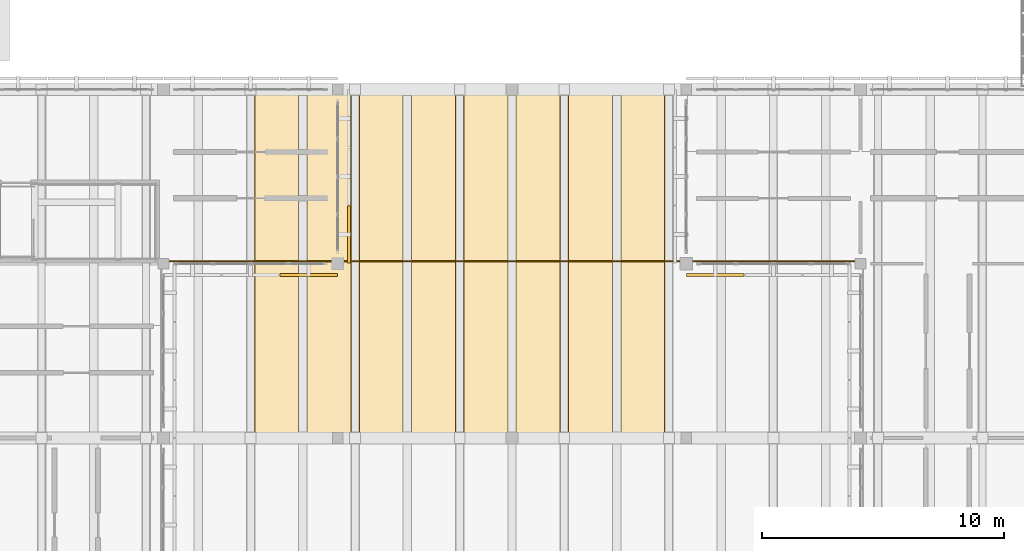
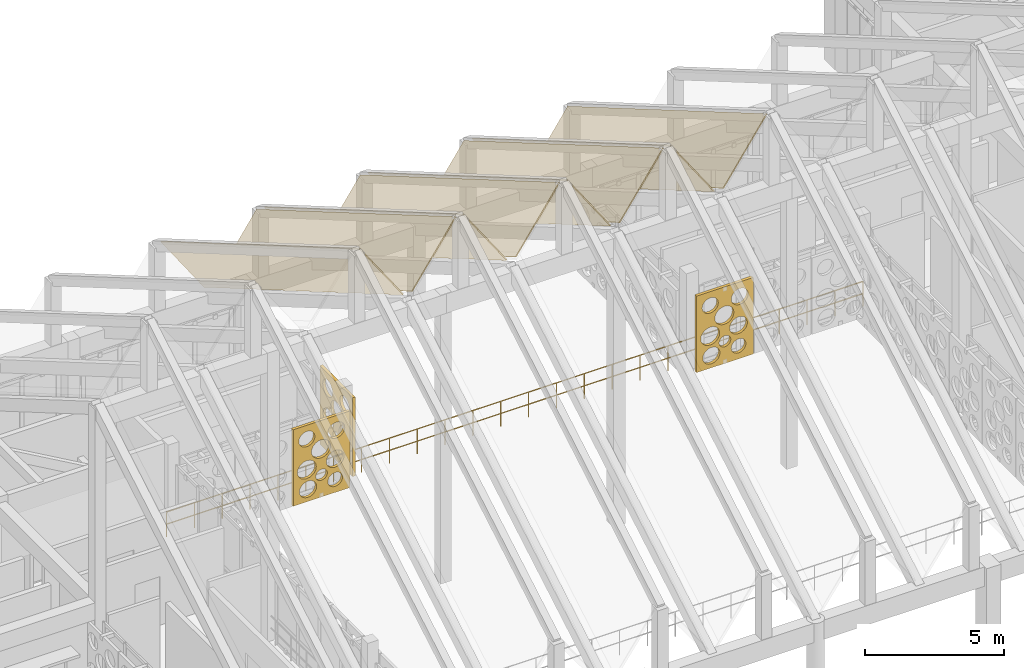
# One storey, part 158 of 171: 11 coverings, 1 railing.
"""IFC4 building model written with IfcOpenShell, lengths in metres."""

from ifc_helpers import new_model, si_unit, direction, frame, origin, origin_2d, place, context, subcontext, project, spatial, polyline, circle, outline, extrude, material, layer, layer_set, type_object, element, save


model = new_model("IFC4")

# Units and contexts
model_context = context("Model", 3, precision=1e-05, world=origin(), true_north=direction((0.0, 1.0)))
body_context = subcontext(model_context, "Body", "Model", "MODEL_VIEW")
ifc_project = project(units=[si_unit("LENGTHUNIT", "METRE"), si_unit("AREAUNIT", "SQUARE_METRE"), si_unit("VOLUMEUNIT", "CUBIC_METRE"), si_unit("PLANEANGLEUNIT", "RADIAN"), si_unit("MASSUNIT", "GRAM", prefix="KILO")], contexts=[model_context])

# Site, building, storey
site_placement = place(None, origin())
site = spatial("IfcSite", under=ifc_project, at=site_placement, CompositionType="ELEMENT")
building_placement = place(site_placement, origin())
building = spatial("IfcBuilding", under=site, at=building_placement, Name="Aldebral Square Health Centre", CompositionType="ELEMENT")
storey_placement = place(building_placement, frame((0.0, 0.0, 4.5)))
storey = spatial("IfcBuildingStorey", under=building, at=storey_placement, Name="L01", CompositionType="ELEMENT", Elevation=4.5)

# Coverings
ifc_material_1 = material(Name="Insulated mineral standing-seam roofing")
ifc_layer_1 = layer(ifc_material_1, 0.0400390625, Name="Insulated mineral standing-seam roofing")
ifc_layer_set_1 = layer_set([ifc_layer_1], Name="Insulated mineral standing-seam roofing")
covering_type_1 = type_object("IfcCoveringType", Name="COV-RF-40", PredefinedType="ROOFING", material=ifc_layer_set_1)
covering_1_placement = place(storey_placement, frame((77.5849609375, 100.800048828125, 4.735595703125), z_axis=(0.783125616046, 0.3133373167, 0.537153605085), x_axis=(-0.565638067086, 0.0, 0.82465361035)))
element("IfcCovering", 1, at=covering_1_placement, inside=storey, type_object=covering_type_1, Name="Waiting Hall folded-plate roof bay 3 NE standing-seam roofing", PredefinedType="ROOFING", context=body_context, shape_type="SweptSolid", body=[
    extrude(outline(polyline([(0.0, 0.0), (3.2000296639766255, 5.551115123125783e-17), (10.09824906129536, 15.100521563128028), (6.898219397318735, 15.100521563128028), (0.0, 0.0)])), origin(), (0.0, 0.0, -1.0), 0.0400390625),
])
covering_2_placement = place(storey_placement, frame((79.7451171875, 100.800048828125, 7.37451171875), z_axis=(-0.783125616046, 0.3133373167, 0.537153605085), x_axis=(-0.565638067086, 0.0, -0.82465361035)))
element("IfcCovering", 2, at=covering_2_placement, inside=storey, type_object=covering_type_1, Name="Waiting Hall folded-plate roof bay 4 NW standing-seam roofing", PredefinedType="ROOFING", context=body_context, shape_type="SweptSolid", body=[
    extrude(outline(polyline([(0.0, 0.0), (3.2000296639766255, -5.551115123125783e-17), (-3.6981897333421103, 15.100521563128028), (-6.898219397318735, 15.100521563128028), (0.0, 0.0)])), origin(), (0.0, 0.0, -1.0), 0.0400390625),
])
covering_3_placement = place(storey_placement, frame((81.905029296875, 100.800048828125, 4.735595703125), z_axis=(0.783125616046, 0.3133373167, 0.537153605085), x_axis=(-0.565638067086, 0.0, 0.82465361035)))
element("IfcCovering", 3, at=covering_3_placement, inside=storey, type_object=covering_type_1, Name="Waiting Hall folded-plate roof bay 4 NE standing-seam roofing", PredefinedType="ROOFING", context=body_context, shape_type="SweptSolid", body=[
    extrude(outline(polyline([(0.0, 0.0), (3.2000296639766255, 5.551115123125783e-17), (10.09824906129536, 15.100521563128028), (6.898219397318735, 15.100521563128028), (0.0, 0.0)])), origin(), (0.0, 0.0, -1.0), 0.0400390625),
])
covering_4_placement = place(storey_placement, frame((84.06494140625, 100.800048828125, 7.37451171875), z_axis=(-0.783125616046, 0.3133373167, 0.537153605085), x_axis=(-0.565638067086, 0.0, -0.82465361035)))
element("IfcCovering", 4, at=covering_4_placement, inside=storey, type_object=covering_type_1, Name="Waiting Hall folded-plate roof bay 5 NW standing-seam roofing", PredefinedType="ROOFING", context=body_context, shape_type="SweptSolid", body=[
    extrude(outline(polyline([(0.0, 0.0), (3.2000296639766255, -5.551115123125783e-17), (-3.6981897333421103, 15.100521563128028), (-6.898219397318735, 15.100521563128028), (0.0, 0.0)])), origin(), (0.0, 0.0, -1.0), 0.0400390625),
])
covering_5_placement = place(storey_placement, frame((86.22509765625, 100.800048828125, 4.735595703125), z_axis=(0.783125616046, 0.3133373167, 0.537153605085), x_axis=(-0.565638067086, 0.0, 0.82465361035)))
element("IfcCovering", 5, at=covering_5_placement, inside=storey, type_object=covering_type_1, Name="Waiting Hall folded-plate roof bay 5 NE standing-seam roofing", PredefinedType="ROOFING", context=body_context, shape_type="SweptSolid", body=[
    extrude(outline(polyline([(0.0, 0.0), (3.2000296639766255, 5.551115123125783e-17), (10.09824906129536, 15.100521563128028), (6.898219397318735, 15.100521563128028), (0.0, 0.0)])), origin(), (0.0, 0.0, -1.0), 0.0400390625),
])
covering_6_placement = place(storey_placement, frame((88.385009765625, 100.800048828125, 7.37451171875), z_axis=(-0.783125616046, 0.3133373167, 0.537153605085), x_axis=(-0.565638067086, 0.0, -0.82465361035)))
element("IfcCovering", 6, at=covering_6_placement, inside=storey, type_object=covering_type_1, Name="Waiting Hall folded-plate roof bay 6 NW standing-seam roofing", PredefinedType="ROOFING", context=body_context, shape_type="SweptSolid", body=[
    extrude(outline(polyline([(0.0, 0.0), (3.2000296639766255, -5.551115123125783e-17), (-3.6981897333421103, 15.100521563128028), (-6.898219397318735, 15.100521563128028), (0.0, 0.0)])), origin(), (0.0, 0.0, -1.0), 0.0400390625),
])
covering_7_placement = place(storey_placement, frame((90.544921875, 100.800048828125, 4.735595703125), z_axis=(0.783166464322, 0.313311395424, 0.537109168288), x_axis=(-0.565586180238, 0.0, 0.824689197652)))
element("IfcCovering", 7, at=covering_7_placement, inside=storey, type_object=covering_type_1, Name="Waiting Hall folded-plate roof bay 6 NE standing-seam roofing", PredefinedType="ROOFING", context=body_context, shape_type="SweptSolid", body=[
    extrude(outline(polyline([(0.0, 0.0), (3.19989157507911, 0.0), (10.098408659831637, 15.100385570024905), (6.898517084752526, 15.100385570024907), (0.0, 0.0)])), origin(), (0.0, 0.0, -1.0), 0.0400390625),
])
covering_8_placement = place(storey_placement, frame((92.705078125, 100.800048828125, 7.37451171875), z_axis=(-0.783125616046, 0.3133373167, 0.537153605085), x_axis=(-0.565638067086, 0.0, -0.82465361035)))
element("IfcCovering", 8, at=covering_8_placement, inside=storey, type_object=covering_type_1, Name="Waiting Hall folded-plate roof bay 7 NW standing-seam roofing", PredefinedType="ROOFING", context=body_context, shape_type="SweptSolid", body=[
    extrude(outline(polyline([(0.0, 0.0), (3.2000296639766255, -5.551115123125783e-17), (-3.6981897333421103, 15.100521563128028), (-6.898219397318735, 15.100521563128028), (0.0, 0.0)])), origin(), (0.0, 0.0, -1.0), 0.0400390625),
])
ifc_material_2 = material(Name="Cream cantera perforated stone screen", Category="masonry")
ifc_layer_2 = layer(ifc_material_2, 0.1201171875, Name="Cream cantera perforated stone screen", Category="masonry")
ifc_layer_set_2 = layer_set([ifc_layer_2], Name="Cream cantera perforated stone screen")
covering_type_2 = type_object("IfcCoveringType", Name="COV-SCR-120", PredefinedType="CLADDING", material=ifc_layer_set_2)
covering_9_placement = place(storey_placement, frame((76.820068359375, 93.139892578125, 0.0), z_axis=(0.0, 0.0, 1.0), x_axis=(1.0, 0.0, 0.0)))
element("IfcCovering", 9, at=covering_9_placement, inside=storey, type_object=covering_type_2, Name="L01 V1 circular-aperture stone screen L01-V1-10-13-S.3", PredefinedType="CLADDING", context=body_context, shape_type="SweptSolid", body=[
    extrude(outline(polyline([(0.0, 0.0), (2.35986328125, 0.0), (2.35986328125, 3.3701171875), (0.0, 3.3701171875), (0.0, 0.0)]), holes=[polyline([(0.973388671875, 0.539306640625), (0.955810546875, 0.427978515625), (0.90478515625, 0.32763671875), (0.8251953125, 0.248046875), (0.724853515625, 0.197021484375), (0.613525390625, 0.17919921875), (0.50244140625, 0.197021484375), (0.402099609375, 0.248046875), (0.322509765625, 0.32763671875), (0.271240234375, 0.427978515625), (0.253662109375, 0.539306640625), (0.271240234375, 0.650390625), (0.322509765625, 0.750732421875), (0.402099609375, 0.830322265625), (0.50244140625, 0.881591796875), (0.613525390625, 0.899169921875), (0.724853515625, 0.881591796875), (0.8251953125, 0.830322265625), (0.90478515625, 0.750732421875), (0.955810546875, 0.650390625), (0.973388671875, 0.539306640625)]), polyline([(2.0546875, 0.572998046875), (2.039794921875, 0.4775390625), (1.995849609375, 0.3916015625), (1.927734375, 0.323486328125), (1.841796875, 0.279541015625), (1.746337890625, 0.264404296875), (1.651123046875, 0.279541015625), (1.565185546875, 0.323486328125), (1.496826171875, 0.3916015625), (1.453125, 0.4775390625), (1.43798828125, 0.572998046875), (1.453125, 0.668212890625), (1.496826171875, 0.754150390625), (1.565185546875, 0.822509765625), (1.651123046875, 0.8662109375), (1.746337890625, 0.88134765625), (1.841796875, 0.8662109375), (1.927734375, 0.822509765625), (1.995849609375, 0.754150390625), (2.039794921875, 0.668212890625), (2.0546875, 0.572998046875)]), polyline([(0.9619140625, 1.415283203125), (0.942626953125, 1.293212890625), (0.886474609375, 1.182861328125), (0.798828125, 1.095458984375), (0.688720703125, 1.039306640625), (0.56640625, 1.02001953125), (0.444091796875, 1.039306640625), (0.333984375, 1.095458984375), (0.246337890625, 1.182861328125), (0.190185546875, 1.293212890625), (0.1708984375, 1.415283203125), (0.190185546875, 1.53759765625), (0.246337890625, 1.64794921875), (0.333984375, 1.7353515625), (0.444091796875, 1.79150390625), (0.56640625, 1.810791015625), (0.688720703125, 1.79150390625), (0.798828125, 1.7353515625), (0.886474609375, 1.64794921875), (0.942626953125, 1.53759765625), (0.9619140625, 1.415283203125)]), polyline([(2.117919921875, 1.48291015625), (2.099853515625, 1.367919921875), (2.047119140625, 1.264404296875), (1.96484375, 1.18212890625), (1.861328125, 1.12939453125), (1.746337890625, 1.111083984375), (1.631591796875, 1.12939453125), (1.528076171875, 1.18212890625), (1.44580078125, 1.264404296875), (1.39306640625, 1.367919921875), (1.374755859375, 1.48291015625), (1.39306640625, 1.59765625), (1.44580078125, 1.701171875), (1.528076171875, 1.783447265625), (1.631591796875, 1.836181640625), (1.746337890625, 1.8544921875), (1.861328125, 1.836181640625), (1.96484375, 1.783447265625), (2.047119140625, 1.701171875), (2.099853515625, 1.59765625), (2.117919921875, 1.48291015625)]), polyline([(1.4248046875, 0.977294921875), (1.412841796875, 0.901611328125), (1.3779296875, 0.83349609375), (1.32373046875, 0.779296875), (1.255615234375, 0.74462890625), (1.179931640625, 0.732666015625), (1.1044921875, 0.74462890625), (1.0361328125, 0.779296875), (0.98193359375, 0.83349609375), (0.947265625, 0.901611328125), (0.935302734375, 0.977294921875), (0.947265625, 1.052978515625), (0.98193359375, 1.12109375), (1.0361328125, 1.17529296875), (1.1044921875, 1.2099609375), (1.179931640625, 1.221923828125), (1.255615234375, 1.2099609375), (1.32373046875, 1.17529296875), (1.3779296875, 1.12109375), (1.412841796875, 1.052978515625), (1.4248046875, 0.977294921875)]), polyline([(1.555419921875, 2.123046875), (1.535888671875, 1.999755859375), (1.479248046875, 1.888427734375), (1.390869140625, 1.80029296875), (1.27978515625, 1.74365234375), (1.156494140625, 1.72412109375), (1.032958984375, 1.74365234375), (0.921875, 1.80029296875), (0.83349609375, 1.888427734375), (0.77685546875, 1.999755859375), (0.75732421875, 2.123046875), (0.77685546875, 2.246337890625), (0.83349609375, 2.357666015625), (0.921875, 2.446044921875), (1.032958984375, 2.502685546875), (1.156494140625, 2.522216796875), (1.27978515625, 2.502685546875), (1.390869140625, 2.446044921875), (1.479248046875, 2.357666015625), (1.535888671875, 2.246337890625), (1.555419921875, 2.123046875)]), polyline([(0.904296875, 2.763427734375), (0.8876953125, 2.658935546875), (0.839599609375, 2.56494140625), (0.764892578125, 2.490234375), (0.6708984375, 2.442138671875), (0.56640625, 2.425537109375), (0.4619140625, 2.442138671875), (0.367919921875, 2.490234375), (0.293212890625, 2.56494140625), (0.2451171875, 2.658935546875), (0.228515625, 2.763427734375), (0.2451171875, 2.86767578125), (0.293212890625, 2.9619140625), (0.367919921875, 3.03662109375), (0.4619140625, 3.084716796875), (0.56640625, 3.101318359375), (0.6708984375, 3.084716796875), (0.764892578125, 3.03662109375), (0.839599609375, 2.9619140625), (0.8876953125, 2.86767578125), (0.904296875, 2.763427734375)]), polyline([(2.14599609375, 2.729736328125), (2.12890625, 2.620849609375), (2.078857421875, 2.5224609375), (2.000732421875, 2.444580078125), (1.902587890625, 2.39453125), (1.793701171875, 2.377197265625), (1.6845703125, 2.39453125), (1.58642578125, 2.444580078125), (1.50830078125, 2.5224609375), (1.458251953125, 2.620849609375), (1.441162109375, 2.729736328125), (1.458251953125, 2.838623046875), (1.50830078125, 2.93701171875), (1.58642578125, 3.014892578125), (1.6845703125, 3.06494140625), (1.793701171875, 3.082275390625), (1.902587890625, 3.06494140625), (2.000732421875, 3.014892578125), (2.078857421875, 2.93701171875), (2.12890625, 2.838623046875), (2.14599609375, 2.729736328125)])]), frame((0.0, 0.06005859375, 0.0), z_axis=(0.0, -1.0, 0.0), x_axis=(1.0, 0.0, 0.0)), (0.0, 0.0, 1.0), 0.1201171875),
])
covering_10_placement = place(storey_placement, frame((79.659912109375, 93.6201171875, 0.0), z_axis=(0.0, 0.0, 1.0), x_axis=(0.0, 1.0, 0.0)))
element("IfcCovering", 10, at=covering_10_placement, inside=storey, type_object=covering_type_2, Name="L01 V1 circular-aperture stone screen L01-V1-10-13-E.1", PredefinedType="CLADDING", context=body_context, shape_type="SweptSolid", body=[
    extrude(outline(polyline([(0.0, 0.0), (2.35986328125, 0.0), (2.35986328125, 3.469970703125), (0.0, 3.469970703125), (0.0, 0.0)]), holes=[polyline([(0.98486328125, 0.55517578125), (0.966552734375, 0.4404296875), (0.913818359375, 0.3369140625), (0.831787109375, 0.2548828125), (0.728271484375, 0.2021484375), (0.613525390625, 0.18408203125), (0.498779296875, 0.2021484375), (0.3955078125, 0.2548828125), (0.313232421875, 0.3369140625), (0.260498046875, 0.4404296875), (0.242431640625, 0.55517578125), (0.260498046875, 0.669921875), (0.313232421875, 0.7734375), (0.3955078125, 0.85546875), (0.498779296875, 0.908203125), (0.613525390625, 0.926513671875), (0.728271484375, 0.908203125), (0.831787109375, 0.85546875), (0.913818359375, 0.7734375), (0.966552734375, 0.669921875), (0.98486328125, 0.55517578125)]), polyline([(2.059326171875, 0.58984375), (2.0439453125, 0.4931640625), (1.99951171875, 0.406005859375), (1.930419921875, 0.336669921875), (1.843017578125, 0.292236328125), (1.746337890625, 0.277099609375), (1.649658203125, 0.292236328125), (1.5625, 0.336669921875), (1.4931640625, 0.406005859375), (1.44873046875, 0.4931640625), (1.43359375, 0.58984375), (1.44873046875, 0.6865234375), (1.4931640625, 0.77392578125), (1.5625, 0.843017578125), (1.649658203125, 0.887451171875), (1.746337890625, 0.90283203125), (1.843017578125, 0.887451171875), (1.930419921875, 0.843017578125), (1.99951171875, 0.77392578125), (2.0439453125, 0.6865234375), (2.059326171875, 0.58984375)]), polyline([(0.970703125, 1.45751953125), (0.950927734375, 1.33251953125), (0.8935546875, 1.2197265625), (0.803955078125, 1.13037109375), (0.69140625, 1.072998046875), (0.56640625, 1.052978515625), (0.44140625, 1.072998046875), (0.328857421875, 1.13037109375), (0.2392578125, 1.2197265625), (0.181884765625, 1.33251953125), (0.162109375, 1.45751953125), (0.181884765625, 1.582275390625), (0.2392578125, 1.695068359375), (0.328857421875, 1.784423828125), (0.44140625, 1.841796875), (0.56640625, 1.86181640625), (0.69140625, 1.841796875), (0.803955078125, 1.784423828125), (0.8935546875, 1.695068359375), (0.950927734375, 1.582275390625), (0.970703125, 1.45751953125)]), polyline([(2.124267578125, 1.52685546875), (2.105712890625, 1.41015625), (2.052001953125, 1.3046875), (1.968505859375, 1.22119140625), (1.863037109375, 1.16748046875), (1.746337890625, 1.14892578125), (1.629638671875, 1.16748046875), (1.5244140625, 1.22119140625), (1.440673828125, 1.3046875), (1.38720703125, 1.41015625), (1.36865234375, 1.52685546875), (1.38720703125, 1.6435546875), (1.440673828125, 1.748779296875), (1.5244140625, 1.83251953125), (1.629638671875, 1.88623046875), (1.746337890625, 1.904541015625), (1.863037109375, 1.88623046875), (1.968505859375, 1.83251953125), (2.052001953125, 1.748779296875), (2.105712890625, 1.6435546875), (2.124267578125, 1.52685546875)]), polyline([(1.42431640625, 1.00634765625), (1.412353515625, 0.9306640625), (1.377685546875, 0.862548828125), (1.32373046875, 0.80859375), (1.255615234375, 0.77392578125), (1.179931640625, 0.761962890625), (1.1044921875, 0.77392578125), (1.036376953125, 0.80859375), (0.982177734375, 0.862548828125), (0.947509765625, 0.9306640625), (0.935546875, 1.00634765625), (0.947509765625, 1.081787109375), (0.982177734375, 1.14990234375), (1.036376953125, 1.2041015625), (1.1044921875, 1.23876953125), (1.179931640625, 1.250732421875), (1.255615234375, 1.23876953125), (1.32373046875, 1.2041015625), (1.377685546875, 1.14990234375), (1.412353515625, 1.081787109375), (1.42431640625, 1.00634765625)]), polyline([(1.563232421875, 2.18603515625), (1.54345703125, 2.060302734375), (1.485595703125, 1.947021484375), (1.3955078125, 1.85693359375), (1.2822265625, 1.799072265625), (1.156494140625, 1.779296875), (1.03076171875, 1.799072265625), (0.917236328125, 1.85693359375), (0.8271484375, 1.947021484375), (0.76953125, 2.060302734375), (0.74951171875, 2.18603515625), (0.76953125, 2.311767578125), (0.8271484375, 2.42529296875), (0.917236328125, 2.515380859375), (1.03076171875, 2.572998046875), (1.156494140625, 2.593017578125), (1.2822265625, 2.572998046875), (1.3955078125, 2.515380859375), (1.485595703125, 2.42529296875), (1.54345703125, 2.311767578125), (1.563232421875, 2.18603515625)]), polyline([(0.9091796875, 2.845458984375), (0.892333984375, 2.739501953125), (0.84375, 2.64404296875), (0.767822265625, 2.568115234375), (0.67236328125, 2.51953125), (0.56640625, 2.502685546875), (0.46044921875, 2.51953125), (0.364990234375, 2.568115234375), (0.2890625, 2.64404296875), (0.240478515625, 2.739501953125), (0.2236328125, 2.845458984375), (0.240478515625, 2.951416015625), (0.2890625, 3.046875), (0.364990234375, 3.12255859375), (0.46044921875, 3.17138671875), (0.56640625, 3.18798828125), (0.67236328125, 3.17138671875), (0.767822265625, 3.12255859375), (0.84375, 3.046875), (0.892333984375, 2.951416015625), (0.9091796875, 2.845458984375)]), polyline([(2.1513671875, 2.810791015625), (2.1337890625, 2.7001953125), (2.0830078125, 2.600341796875), (2.00390625, 2.521240234375), (1.904052734375, 2.470458984375), (1.793701171875, 2.452880859375), (1.68310546875, 2.470458984375), (1.583251953125, 2.521240234375), (1.504150390625, 2.600341796875), (1.453369140625, 2.7001953125), (1.435791015625, 2.810791015625), (1.453369140625, 2.921142578125), (1.504150390625, 3.02099609375), (1.583251953125, 3.10009765625), (1.68310546875, 3.15087890625), (1.793701171875, 3.16845703125), (1.904052734375, 3.15087890625), (2.00390625, 3.10009765625), (2.0830078125, 3.02099609375), (2.1337890625, 2.921142578125), (2.1513671875, 2.810791015625)])]), frame((0.0, 0.06005859375, 0.0), z_axis=(0.0, -1.0, 0.0), x_axis=(1.0, 0.0, 0.0)), (0.0, 0.0, 1.0), 0.1201171875),
])
covering_11_placement = place(storey_placement, frame((93.6201171875, 93.139892578125, 0.0), z_axis=(0.0, 0.0, 1.0), x_axis=(1.0, 0.0, 0.0)))
element("IfcCovering", 11, at=covering_11_placement, inside=storey, type_object=covering_type_2, Name="L01 V1 circular-aperture stone screen L01-V1-13-13-S.1", PredefinedType="CLADDING", context=body_context, shape_type="SweptSolid", body=[
    extrude(outline(polyline([(0.0, 0.0), (2.35986328125, 0.0), (2.35986328125, 3.3701171875), (0.0, 3.3701171875), (0.0, 0.0)]), holes=[polyline([(0.973388671875, 0.539306640625), (0.955810546875, 0.427978515625), (0.90478515625, 0.32763671875), (0.8251953125, 0.248046875), (0.724853515625, 0.197021484375), (0.613525390625, 0.17919921875), (0.50244140625, 0.197021484375), (0.402099609375, 0.248046875), (0.322509765625, 0.32763671875), (0.271240234375, 0.427978515625), (0.253662109375, 0.539306640625), (0.271240234375, 0.650390625), (0.322509765625, 0.750732421875), (0.402099609375, 0.830322265625), (0.50244140625, 0.881591796875), (0.613525390625, 0.899169921875), (0.724853515625, 0.881591796875), (0.8251953125, 0.830322265625), (0.90478515625, 0.750732421875), (0.955810546875, 0.650390625), (0.973388671875, 0.539306640625)]), polyline([(2.0546875, 0.572998046875), (2.039794921875, 0.4775390625), (1.995849609375, 0.3916015625), (1.927734375, 0.323486328125), (1.841796875, 0.279541015625), (1.746337890625, 0.264404296875), (1.651123046875, 0.279541015625), (1.565185546875, 0.323486328125), (1.496826171875, 0.3916015625), (1.453125, 0.4775390625), (1.43798828125, 0.572998046875), (1.453125, 0.668212890625), (1.496826171875, 0.754150390625), (1.565185546875, 0.822509765625), (1.651123046875, 0.8662109375), (1.746337890625, 0.88134765625), (1.841796875, 0.8662109375), (1.927734375, 0.822509765625), (1.995849609375, 0.754150390625), (2.039794921875, 0.668212890625), (2.0546875, 0.572998046875)]), polyline([(0.9619140625, 1.415283203125), (0.942626953125, 1.293212890625), (0.886474609375, 1.182861328125), (0.798828125, 1.095458984375), (0.688720703125, 1.039306640625), (0.56640625, 1.02001953125), (0.444091796875, 1.039306640625), (0.333984375, 1.095458984375), (0.246337890625, 1.182861328125), (0.190185546875, 1.293212890625), (0.1708984375, 1.415283203125), (0.190185546875, 1.53759765625), (0.246337890625, 1.64794921875), (0.333984375, 1.7353515625), (0.444091796875, 1.79150390625), (0.56640625, 1.810791015625), (0.688720703125, 1.79150390625), (0.798828125, 1.7353515625), (0.886474609375, 1.64794921875), (0.942626953125, 1.53759765625), (0.9619140625, 1.415283203125)]), polyline([(2.117919921875, 1.48291015625), (2.099853515625, 1.367919921875), (2.047119140625, 1.264404296875), (1.96484375, 1.18212890625), (1.861328125, 1.12939453125), (1.746337890625, 1.111083984375), (1.631591796875, 1.12939453125), (1.528076171875, 1.18212890625), (1.44580078125, 1.264404296875), (1.39306640625, 1.367919921875), (1.374755859375, 1.48291015625), (1.39306640625, 1.59765625), (1.44580078125, 1.701171875), (1.528076171875, 1.783447265625), (1.631591796875, 1.836181640625), (1.746337890625, 1.8544921875), (1.861328125, 1.836181640625), (1.96484375, 1.783447265625), (2.047119140625, 1.701171875), (2.099853515625, 1.59765625), (2.117919921875, 1.48291015625)]), polyline([(1.4248046875, 0.977294921875), (1.412841796875, 0.901611328125), (1.3779296875, 0.83349609375), (1.32373046875, 0.779296875), (1.255615234375, 0.74462890625), (1.179931640625, 0.732666015625), (1.1044921875, 0.74462890625), (1.0361328125, 0.779296875), (0.98193359375, 0.83349609375), (0.947265625, 0.901611328125), (0.935302734375, 0.977294921875), (0.947265625, 1.052978515625), (0.98193359375, 1.12109375), (1.0361328125, 1.17529296875), (1.1044921875, 1.2099609375), (1.179931640625, 1.221923828125), (1.255615234375, 1.2099609375), (1.32373046875, 1.17529296875), (1.3779296875, 1.12109375), (1.412841796875, 1.052978515625), (1.4248046875, 0.977294921875)]), polyline([(1.555419921875, 2.123046875), (1.535888671875, 1.999755859375), (1.479248046875, 1.888427734375), (1.390869140625, 1.80029296875), (1.27978515625, 1.74365234375), (1.156494140625, 1.72412109375), (1.032958984375, 1.74365234375), (0.921875, 1.80029296875), (0.83349609375, 1.888427734375), (0.77685546875, 1.999755859375), (0.75732421875, 2.123046875), (0.77685546875, 2.246337890625), (0.83349609375, 2.357666015625), (0.921875, 2.446044921875), (1.032958984375, 2.502685546875), (1.156494140625, 2.522216796875), (1.27978515625, 2.502685546875), (1.390869140625, 2.446044921875), (1.479248046875, 2.357666015625), (1.535888671875, 2.246337890625), (1.555419921875, 2.123046875)]), polyline([(0.904296875, 2.763427734375), (0.8876953125, 2.658935546875), (0.839599609375, 2.56494140625), (0.764892578125, 2.490234375), (0.6708984375, 2.442138671875), (0.56640625, 2.425537109375), (0.4619140625, 2.442138671875), (0.367919921875, 2.490234375), (0.293212890625, 2.56494140625), (0.2451171875, 2.658935546875), (0.228515625, 2.763427734375), (0.2451171875, 2.86767578125), (0.293212890625, 2.9619140625), (0.367919921875, 3.03662109375), (0.4619140625, 3.084716796875), (0.56640625, 3.101318359375), (0.6708984375, 3.084716796875), (0.764892578125, 3.03662109375), (0.839599609375, 2.9619140625), (0.8876953125, 2.86767578125), (0.904296875, 2.763427734375)]), polyline([(2.14599609375, 2.729736328125), (2.12890625, 2.620849609375), (2.078857421875, 2.5224609375), (2.000732421875, 2.444580078125), (1.902587890625, 2.39453125), (1.793701171875, 2.377197265625), (1.6845703125, 2.39453125), (1.58642578125, 2.444580078125), (1.50830078125, 2.5224609375), (1.458251953125, 2.620849609375), (1.441162109375, 2.729736328125), (1.458251953125, 2.838623046875), (1.50830078125, 2.93701171875), (1.58642578125, 3.014892578125), (1.6845703125, 3.06494140625), (1.793701171875, 3.082275390625), (1.902587890625, 3.06494140625), (2.000732421875, 3.014892578125), (2.078857421875, 2.93701171875), (2.12890625, 2.838623046875), (2.14599609375, 2.729736328125)])]), frame((0.0, 0.06005859375, 0.0), z_axis=(0.0, -1.0, 0.0), x_axis=(1.0, 0.0, 0.0)), (0.0, 0.0, 1.0), 0.1201171875),
])

# Railing
ifc_material_3 = material(Name="Laminated glass and steel atrium guard", Category="steel")
railing_type = type_object("IfcRailingType", Name="RL-AT-BAL", PredefinedType="BALUSTRADE", material=ifc_material_3)
railing_placement = place(storey_placement, frame((100.89990234375, 93.699951171875, 0.0)))
element("IfcRailing", 12, at=railing_placement, inside=storey, type_object=railing_type, Name="Waiting Hall L01 gallery balustrade 3", PredefinedType="BALUSTRADE", context=body_context, shape_type="SweptSolid", body=[
    extrude(circle(Radius=0.02392578125, at=origin_2d()), frame((0.0, 0.0, 1.09619140625), z_axis=(-1.0, 0.0, 0.0), x_axis=(0.0, -1.0, 0.0)), (0.0, 0.0, 1.0), 29.0),
    extrude(circle(Radius=0.02392578125, at=origin_2d()), frame((0.0, 0.0, 0.56005859375), z_axis=(-1.0, 0.0, 0.0), x_axis=(0.0, -1.0, 0.0)), (0.0, 0.0, 1.0), 29.0),
    extrude(circle(Radius=0.02099609375, at=origin_2d()), origin(), (0.0, 0.0, 1.0), 1.072021484375),
    extrude(circle(Radius=0.02099609375, at=origin_2d()), frame((-1.159912109375, 0.0, 0.0)), (0.0, 0.0, 1.0), 1.072021484375),
    extrude(circle(Radius=0.02099609375, at=origin_2d()), frame((-2.320068359375, 0.0, 0.0)), (0.0, 0.0, 1.0), 1.072021484375),
    extrude(circle(Radius=0.02099609375, at=origin_2d()), frame((-3.47998046875, 0.0, 0.0)), (0.0, 0.0, 1.0), 1.072021484375),
    extrude(circle(Radius=0.02099609375, at=origin_2d()), frame((-4.639892578125, 0.0, 0.0)), (0.0, 0.0, 1.0), 1.072021484375),
    extrude(circle(Radius=0.02099609375, at=origin_2d()), frame((-5.800048828125, 0.0, 0.0)), (0.0, 0.0, 1.0), 1.072021484375),
    extrude(circle(Radius=0.02099609375, at=origin_2d()), frame((-6.9599609375, 0.0, 0.0)), (0.0, 0.0, 1.0), 1.072021484375),
    extrude(circle(Radius=0.02099609375, at=origin_2d()), frame((-8.1201171875, 0.0, 0.0)), (0.0, 0.0, 1.0), 1.072021484375),
    extrude(circle(Radius=0.02099609375, at=origin_2d()), frame((-9.280029296875, 0.0, 0.0)), (0.0, 0.0, 1.0), 1.072021484375),
    extrude(circle(Radius=0.02099609375, at=origin_2d()), frame((-10.43994140625, 0.0, 0.0)), (0.0, 0.0, 1.0), 1.072021484375),
    extrude(circle(Radius=0.02099609375, at=origin_2d()), frame((-11.60009765625, 0.0, 0.0)), (0.0, 0.0, 1.0), 1.072021484375),
    extrude(circle(Radius=0.02099609375, at=origin_2d()), frame((-12.760009765625, 0.0, 0.0)), (0.0, 0.0, 1.0), 1.072021484375),
    extrude(circle(Radius=0.02099609375, at=origin_2d()), frame((-13.919921875, 0.0, 0.0)), (0.0, 0.0, 1.0), 1.072021484375),
    extrude(circle(Radius=0.02099609375, at=origin_2d()), frame((-15.080078125, 0.0, 0.0)), (0.0, 0.0, 1.0), 1.072021484375),
    extrude(circle(Radius=0.02099609375, at=origin_2d()), frame((-16.239990234375, 0.0, 0.0)), (0.0, 0.0, 1.0), 1.072021484375),
    extrude(circle(Radius=0.02099609375, at=origin_2d()), frame((-17.39990234375, 0.0, 0.0)), (0.0, 0.0, 1.0), 1.072021484375),
    extrude(circle(Radius=0.02099609375, at=origin_2d()), frame((-18.56005859375, 0.0, 0.0)), (0.0, 0.0, 1.0), 1.072021484375),
    extrude(circle(Radius=0.02099609375, at=origin_2d()), frame((-19.719970703125, 0.0, 0.0)), (0.0, 0.0, 1.0), 1.072021484375),
    extrude(circle(Radius=0.02099609375, at=origin_2d()), frame((-20.8798828125, 0.0, 0.0)), (0.0, 0.0, 1.0), 1.072021484375),
    extrude(circle(Radius=0.02099609375, at=origin_2d()), frame((-22.0400390625, 0.0, 0.0)), (0.0, 0.0, 1.0), 1.072021484375),
    extrude(circle(Radius=0.02099609375, at=origin_2d()), frame((-23.199951171875, 0.0, 0.0)), (0.0, 0.0, 1.0), 1.072021484375),
    extrude(circle(Radius=0.02099609375, at=origin_2d()), frame((-24.360107421875, 0.0, 0.0)), (0.0, 0.0, 1.0), 1.072021484375),
    extrude(circle(Radius=0.02099609375, at=origin_2d()), frame((-25.52001953125, 0.0, 0.0)), (0.0, 0.0, 1.0), 1.072021484375),
    extrude(circle(Radius=0.02099609375, at=origin_2d()), frame((-26.679931640625, 0.0, 0.0)), (0.0, 0.0, 1.0), 1.072021484375),
    extrude(circle(Radius=0.02099609375, at=origin_2d()), frame((-27.840087890625, 0.0, 0.0)), (0.0, 0.0, 1.0), 1.072021484375),
    extrude(circle(Radius=0.02099609375, at=origin_2d()), frame((-29.0, 0.0, 0.0)), (0.0, 0.0, 1.0), 1.072021484375),
])

save(model, "model.ifc")
